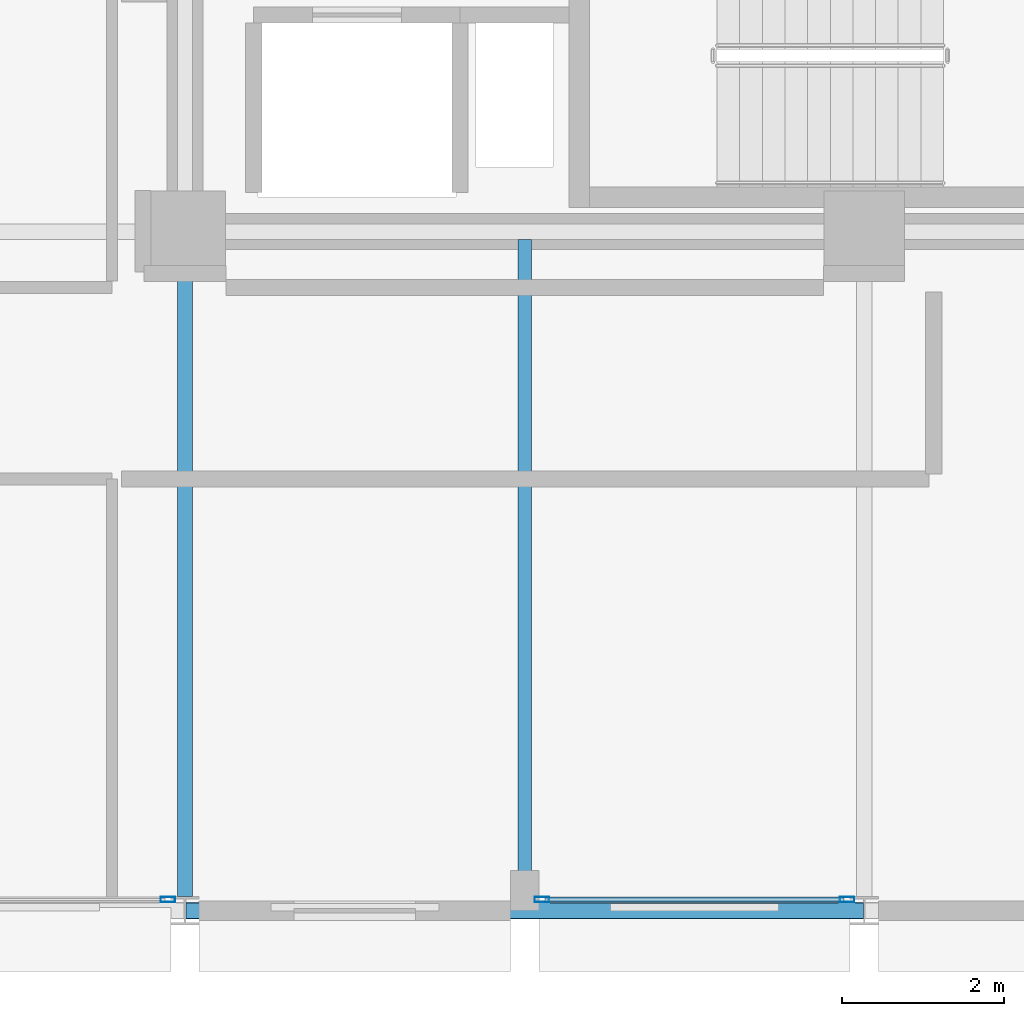
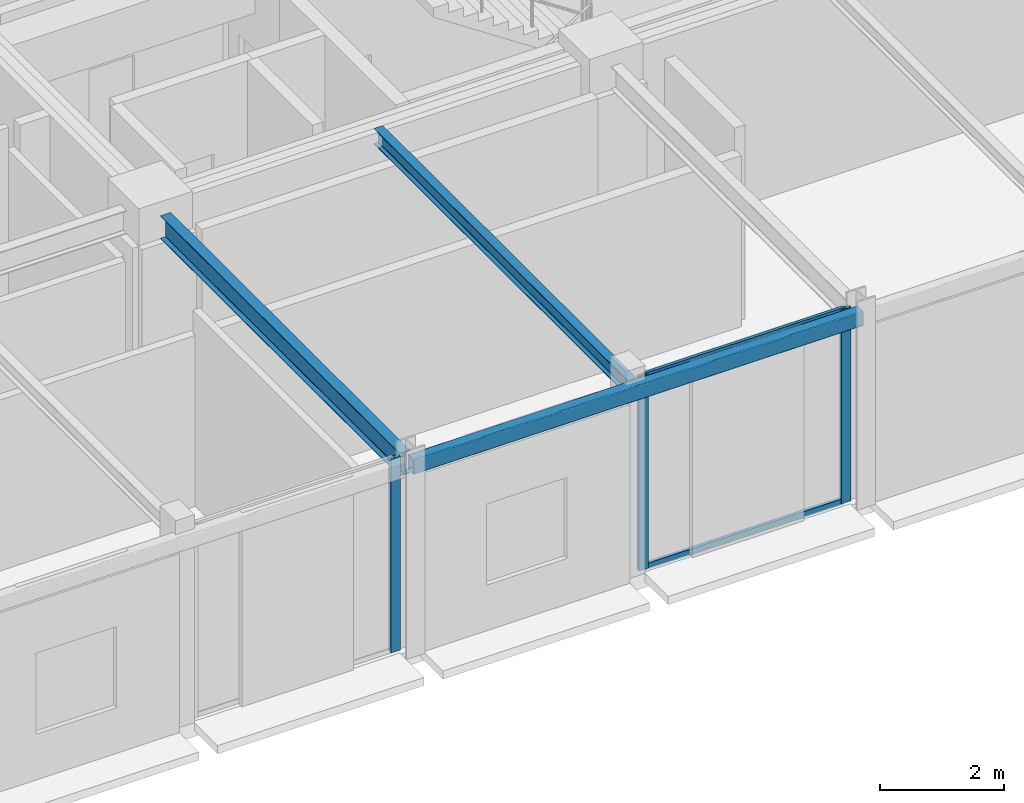
# One storey, part 6 of 26: 5 members, 3 beams, 2 elements without a shape of their own.
"""IFC4 building model written with IfcOpenShell, lengths in metres."""

from ifc_helpers import new_model, si_unit, direction, frame, origin, origin_2d, place, context, subcontext, project, spatial, hollow_rectangle, i_section, extrude, material, layer, layer_set, material_profile, profile_set, type_object, element, aggregate, save


model = new_model("IFC4")

# Units and contexts
model_context = context("Model", 3, precision=1e-05, world=origin(), true_north=direction((0.0, 1.0)))
body_context = subcontext(model_context, "Body", "Model", "MODEL_VIEW")
ifc_project = project(units=[si_unit("LENGTHUNIT", "METRE"), si_unit("AREAUNIT", "SQUARE_METRE"), si_unit("VOLUMEUNIT", "CUBIC_METRE"), si_unit("PLANEANGLEUNIT", "RADIAN"), si_unit("MASSUNIT", "GRAM", prefix="KILO")], contexts=[model_context])

# Site, building, storey
site_placement = place(None, origin())
site = spatial("IfcSite", under=ifc_project, at=site_placement, CompositionType="ELEMENT")
building_placement = place(site_placement, origin())
building = spatial("IfcBuilding", under=site, at=building_placement, Name="Nerrivon Quay Data Exchange", CompositionType="ELEMENT")
storey_placement = place(building_placement, frame((0.0, 0.0, 228.800048828125)))
storey = spatial("IfcBuildingStorey", under=building, at=storey_placement, Name="L54", CompositionType="ELEMENT", Elevation=228.800048828125)

# Beams
ifc_material_1 = material(Name="Steel Grade 350", Category="steel")
ifc_material_profile_1 = material_profile(ifc_material_1, i_section(OverallWidth=0.18994140625, OverallDepth=0.4541015625, WebThickness=0.008544921875, FlangeThickness=0.0126953125, FilletRadius=0.011474609375, at=origin_2d()), Name="460UB67.1")
ifc_profile_set_1 = profile_set([ifc_material_profile_1], Name="Steel Grade 350")
beam_type_1 = type_object("IfcBeamType", Name="BM-G6-460UB67", PredefinedType="BEAM", material=ifc_profile_set_1)
beam_1_placement = place(storey_placement, frame((16.800048828125, 0.175048828125, 3.597900390625), z_axis=(0.0, 1.0, 0.0), x_axis=(-1.0, 0.0, 0.0)))
element("IfcBeam", 1, at=beam_1_placement, inside=storey, type_object=beam_type_1, Name="L54 NS Girder X=16.8 (0.0..8.4)", PredefinedType="BEAM", context=body_context, shape_type="SweptSolid", body=[
    extrude(i_section(OverallWidth=0.18994140625, OverallDepth=0.4541015625, WebThickness=0.008544921875, FlangeThickness=0.0126953125, FilletRadius=0.011474609375, at=origin_2d()), origin(), (0.0, 0.0, 1.0), 7.724853515625),
])
ifc_material_profile_2 = material_profile(ifc_material_1, i_section(OverallWidth=0.166015625, OverallDepth=0.306884765625, WebThickness=0.006591796875, FlangeThickness=0.01171875, FilletRadius=0.011474609375, at=origin_2d()), Name="310UB46.2")
ifc_profile_set_2 = profile_set([ifc_material_profile_2], Name="Steel Grade 350")
beam_type_2 = type_object("IfcBeamType", Name="BM-J5-310UB46", PredefinedType="JOIST", material=ifc_profile_set_2)
beam_2_placement = place(storey_placement, frame((21.0, 0.10009765625, 3.67138671875), z_axis=(0.0, 1.0, 0.0), x_axis=(-1.0, 0.0, 0.0)))
element("IfcBeam", 2, at=beam_2_placement, inside=storey, type_object=beam_type_2, Name="L54 Secondary Joist X=21.0 (0.0..8.4)", PredefinedType="JOIST", context=body_context, shape_type="SweptSolid", body=[
    extrude(i_section(OverallWidth=0.166015625, OverallDepth=0.306884765625, WebThickness=0.006591796875, FlangeThickness=0.01171875, FilletRadius=0.011474609375, at=origin_2d()), origin(), (0.0, 0.0, 1.0), 8.204345703125),
])
ifc_material_2 = material(Name="Steel Grade C350L0 (350 MPa)", Category="steel")
ifc_material_profile_3 = material_profile(ifc_material_2, hollow_rectangle(XDim=0.199951171875, YDim=0.300048828125, WallThickness=0.012451171875, InnerFilletRadius=0.018798828125, OuterFilletRadius=0.03125, at=origin_2d()), Name="300x200x12.5RHS")
ifc_profile_set_3 = profile_set([ifc_material_profile_3], Name="Steel Grade C350L0 (350 MPa)")
beam_type_3 = type_object("IfcBeamType", Name="BM-SP3-300x200RHS", PredefinedType="SPANDREL", material=ifc_profile_set_3)
beam_3_placement = place(storey_placement, frame((16.81005859375, 0.0, 3.675048828125), z_axis=(1.0, 0.0, 0.0), x_axis=(0.0, 1.0, 0.0)))
element("IfcBeam", 3, at=beam_3_placement, inside=storey, type_object=beam_type_3, Name="L54 EW Girder Y=0.0 (16.8..25.2)", PredefinedType="SPANDREL", context=body_context, shape_type="SweptSolid", body=[
    extrude(hollow_rectangle(XDim=0.199951171875, YDim=0.300048828125, WallThickness=0.012451171875, InnerFilletRadius=0.018798828125, OuterFilletRadius=0.03125, at=origin_2d()), origin(), (0.0, 0.0, 1.0), 8.3798828125),
])

# Curtain wall, members
ifc_material_3 = material(Name="Anodised aluminium 6063-T6", Category="aluminium")
ifc_layer = layer(ifc_material_3, 0.195068359375)
ifc_layer_set = layer_set([ifc_layer], Name="Anodised aluminium 6063-T6")
curtain_wall_type = type_object("IfcCurtainWallType", Name="CW-SYS-06", PredefinedType="NOTDEFINED", material=ifc_layer_set)
curtain_wall_1_placement = place(storey_placement, origin())
curtain_wall_1 = element("IfcCurtainWall", 4, at=curtain_wall_1_placement, inside=storey, type_object=curtain_wall_type, Name="L54 Unitised Curtain Wall 4", PredefinedType="NOTDEFINED")
ifc_material_profile_4 = material_profile(ifc_material_3, hollow_rectangle(XDim=0.06494140625, YDim=0.179931640625, WallThickness=0.00341796875, at=origin_2d()), Name="ALU-MULL-180x65")
ifc_profile_set_4 = profile_set([ifc_material_profile_4], Name="Anodised aluminium 6063-T6")
member_type_1 = type_object("IfcMemberType", Name="CWM-180x65", PredefinedType="MULLION", material=ifc_profile_set_4)
member_1_placement = place(storey_placement, frame((24.987548828125, 0.139892578125, 0.0), z_axis=(0.0, 0.0, 1.0), x_axis=(0.0, -1.0, 0.0)))
member_1 = element("IfcMember", 5, at=member_1_placement, type_object=member_type_1, Name="CW06 mullion 1", PredefinedType="MULLION", context=body_context, shape_type="SweptSolid", body=[
    extrude(hollow_rectangle(XDim=0.06494140625, YDim=0.179931640625, WallThickness=0.00341796875, at=origin_2d()), origin(), (0.0, 0.0, 1.0), 3.824951171875),
])
member_2_placement = place(storey_placement, frame((21.21240234375, 0.139892578125, 0.0), z_axis=(0.0, 0.0, 1.0), x_axis=(0.0, -1.0, 0.0)))
member_2 = element("IfcMember", 6, at=member_2_placement, type_object=member_type_1, Name="CW06 mullion 2", PredefinedType="MULLION", context=body_context, shape_type="SweptSolid", body=[
    extrude(hollow_rectangle(XDim=0.06494140625, YDim=0.179931640625, WallThickness=0.00341796875, at=origin_2d()), origin(), (0.0, 0.0, 1.0), 3.824951171875),
])

# Curtain wall, member
curtain_wall_2_placement = place(storey_placement, origin())
curtain_wall_2 = element("IfcCurtainWall", 7, at=curtain_wall_2_placement, inside=storey, type_object=curtain_wall_type, Name="L54 Unitised Curtain Wall 6", PredefinedType="NOTDEFINED")
member_3_placement = place(storey_placement, frame((16.58740234375, 0.139892578125, 0.0), z_axis=(0.0, 0.0, 1.0), x_axis=(0.0, -1.0, 0.0)))
member_3 = element("IfcMember", 8, at=member_3_placement, type_object=member_type_1, Name="CW06 mullion 1", PredefinedType="MULLION", context=body_context, shape_type="SweptSolid", body=[
    extrude(hollow_rectangle(XDim=0.06494140625, YDim=0.179931640625, WallThickness=0.00341796875, at=origin_2d()), origin(), (0.0, 0.0, 1.0), 3.824951171875),
])
aggregate(curtain_wall_2, [member_3])

# Member
ifc_material_profile_5 = material_profile(ifc_material_3, hollow_rectangle(XDim=0.06005859375, YDim=0.1201171875, WallThickness=0.003173828125, at=origin_2d()), Name="ALU-TRAN-120x60")
ifc_profile_set_5 = profile_set([ifc_material_profile_5], Name="Anodised aluminium 6063-T6")
member_type_2 = type_object("IfcMemberType", Name="CWT-120x60", PredefinedType="USERDEFINED", material=ifc_profile_set_5)
member_4_placement = place(storey_placement, frame((24.949951171875, 0.139892578125, 0.032470703125), z_axis=(-1.0, 0.0, 0.0), x_axis=(0.0, -1.0, 0.0)))
member_4 = element("IfcMember", 9, at=member_4_placement, type_object=member_type_2, Name="CW06 transom 1.1", ObjectType="TRANSOM", PredefinedType="USERDEFINED", context=body_context, shape_type="SweptSolid", body=[
    extrude(hollow_rectangle(XDim=0.06005859375, YDim=0.1201171875, WallThickness=0.003173828125, at=origin_2d()), origin(), (0.0, 0.0, 1.0), 3.699951171875),
])

member_5_placement = place(storey_placement, frame((24.949951171875, 0.139892578125, 3.79248046875), z_axis=(-1.0, 0.0, 0.0), x_axis=(0.0, -1.0, 0.0)))
member_5 = element("IfcMember", 10, at=member_5_placement, type_object=member_type_2, Name="CW06 transom 1.2", ObjectType="TRANSOM", PredefinedType="USERDEFINED", context=body_context, shape_type="SweptSolid", body=[
    extrude(hollow_rectangle(XDim=0.06005859375, YDim=0.1201171875, WallThickness=0.003173828125, at=origin_2d()), origin(), (0.0, 0.0, 1.0), 3.699951171875),
])

aggregate(curtain_wall_1, [member_1, member_2, member_4, member_5])

save(model, "model.ifc")
